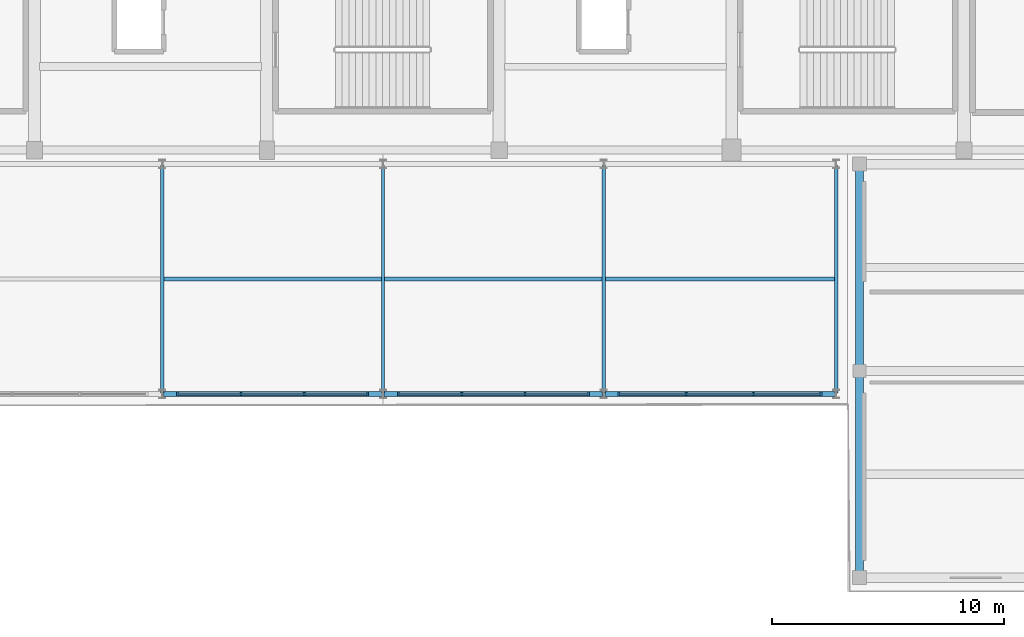
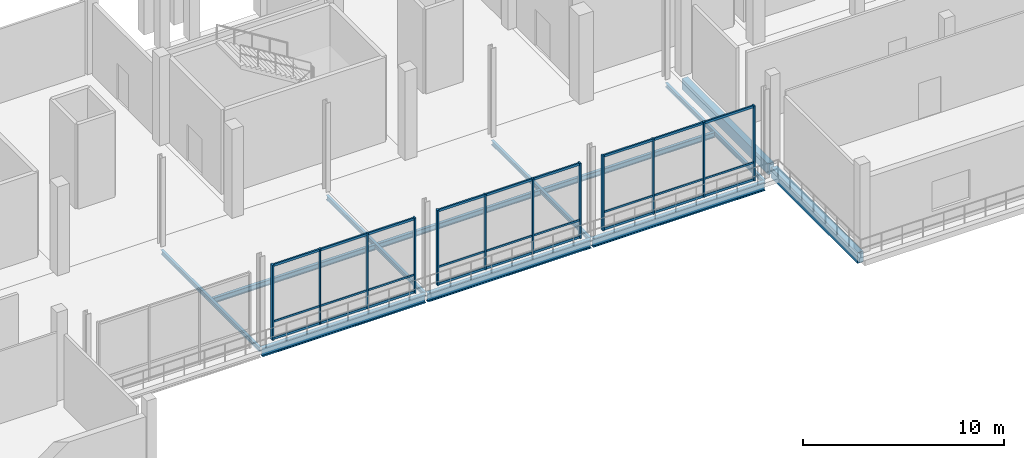
# One storey, part 20 of 111: 21 members, 12 beams, 3 elements without a shape of their own.
"""IFC4 building model written with IfcOpenShell, lengths in metres."""

from ifc_helpers import new_model, si_unit, direction, frame, origin, origin_2d, place, context, subcontext, project, spatial, rectangle, i_section, extrude, material, material_profile, profile_set, type_object, element, aggregate, save


model = new_model("IFC4")

# Units and contexts
model_context = context("Model", 3, precision=1e-05, world=origin(), true_north=direction((0.0, 1.0)))
body_context = subcontext(model_context, "Body", "Model", "MODEL_VIEW")
ifc_project = project(units=[si_unit("LENGTHUNIT", "METRE"), si_unit("AREAUNIT", "SQUARE_METRE"), si_unit("VOLUMEUNIT", "CUBIC_METRE"), si_unit("PLANEANGLEUNIT", "RADIAN"), si_unit("MASSUNIT", "GRAM", prefix="KILO")], contexts=[model_context])

# Site, building, storey
site_placement = place(None, origin())
site = spatial("IfcSite", under=ifc_project, at=site_placement, CompositionType="ELEMENT")
building_placement = place(site_placement, origin())
building = spatial("IfcBuilding", under=site, at=building_placement, Name="Candeia Ridge Stadium", CompositionType="ELEMENT")
storey_placement = place(building_placement, frame((0.0, 0.0, 16.199951171875)))
storey = spatial("IfcBuildingStorey", under=building, at=storey_placement, Name="L03", CompositionType="ELEMENT", Elevation=16.199951171875)

# Beams
ifc_material_1 = material(Name="Steel ASTM A572 Grade 50", Category="steel")
ifc_material_profile_1 = material_profile(ifc_material_1, i_section(OverallWidth=0.14794921875, OverallDepth=0.26611328125, WebThickness=0.007568359375, FlangeThickness=0.012939453125, FilletRadius=0.010986328125, at=origin_2d()), Name="W250x44.8", Category="steel")
ifc_profile_set_1 = profile_set([ifc_material_profile_1], Name="Steel ASTM A572 Grade 50")
beam_type_1 = type_object("IfcBeamType", Name="Canopy Edge Spandrel W250x44.8", PredefinedType="SPANDREL", material=ifc_profile_set_1)
for number, where, z_axis, x_axis, name in (
    (1, (96.5, 8.550048828125, -0.383056640625), (0.0, 1.0, 0.0), (-1.0, 0.0, 0.0), "Structural girder BM-L03-2359"),
    (2, (106.0, 8.550048828125, -0.383056640625), (0.0, 1.0, 0.0), (-1.0, 0.0, 0.0), "Structural girder BM-L03-2360"),
    (3, (115.5, 8.550048828125, -0.383056640625), (0.0, 1.0, 0.0), (-1.0, 0.0, 0.0), "Structural girder BM-L03-2361"),
    (4, (125.5, 8.550048828125, -0.383056640625), (0.0, 1.0, 0.0), (-1.0, 0.0, 0.0), "Structural girder BM-L03-2362"),
):
    element("IfcBeam", number, at=place(storey_placement, frame(where, z_axis=z_axis, x_axis=x_axis)), inside=storey, type_object=beam_type_1, Name=name, PredefinedType="SPANDREL", context=body_context, shape_type="SweptSolid", body=[
        extrude(i_section(OverallWidth=0.14794921875, OverallDepth=0.26611328125, WebThickness=0.007568359375, FlangeThickness=0.012939453125, FilletRadius=0.010986328125, at=origin_2d()), origin(), (0.0, 0.0, 1.0), 9.800048828125),
    ])

# Curtain wall, members
ifc_material_2 = material(Name="Aluminium Anodized Warm Bronze", Category="aluminium")
curtain_wall_type = type_object("IfcCurtainWallType", Name="Cardinal Entrance Gate Tall Glazed Curtain Wall", PredefinedType="NOTDEFINED", material=ifc_material_2)
curtain_wall_1_placement = place(storey_placement, origin())
curtain_wall_1 = element("IfcCurtainWall", 5, at=curtain_wall_1_placement, inside=storey, type_object=curtain_wall_type, Name="Unitised curtain wall CW-WNG-L03-138", PredefinedType="NOTDEFINED")
ifc_material_profile_2 = material_profile(ifc_material_2, rectangle(XDim=0.090087890625, YDim=0.179931640625, at=origin_2d()), Name="CWM-90x180", Category="aluminium")
ifc_profile_set_2 = profile_set([ifc_material_profile_2], Name="Aluminium Anodized Warm Bronze")
member_type_1 = type_object("IfcMemberType", Name="Curtain Wall Primary Mullion 90x180", PredefinedType="MULLION", material=ifc_profile_set_2)
member_1_placement = place(storey_placement, frame((97.159912109375, 8.5, 0.0), z_axis=(0.0, 0.0, 1.0), x_axis=(1.0, 0.0, 0.0)))
member_1 = element("IfcMember", 6, at=member_1_placement, type_object=member_type_1, Name="Curtain wall mullion CW-WNG-L03-138-M0", PredefinedType="MULLION", context=body_context, shape_type="SweptSolid", body=[
    extrude(rectangle(XDim=0.090087890625, YDim=0.179931640625, at=origin_2d()), origin(), (0.0, 0.0, 1.0), 4.58203125),
])
member_2_placement = place(storey_placement, frame((105.340087890625, 8.5, 0.0), z_axis=(0.0, 0.0, 1.0), x_axis=(1.0, 0.0, 0.0)))
member_2 = element("IfcMember", 7, at=member_2_placement, type_object=member_type_1, Name="Curtain wall mullion CW-WNG-L03-138-M3", PredefinedType="MULLION", context=body_context, shape_type="SweptSolid", body=[
    extrude(rectangle(XDim=0.090087890625, YDim=0.179931640625, at=origin_2d()), origin(), (0.0, 0.0, 1.0), 4.58203125),
])

curtain_wall_2_placement = place(storey_placement, origin())
curtain_wall_2 = element("IfcCurtainWall", 8, at=curtain_wall_2_placement, inside=storey, type_object=curtain_wall_type, Name="Unitised curtain wall CW-WNG-L03-139", PredefinedType="NOTDEFINED")
member_3_placement = place(storey_placement, frame((106.659912109375, 8.5, 0.0), z_axis=(0.0, 0.0, 1.0), x_axis=(1.0, 0.0, 0.0)))
member_3 = element("IfcMember", 9, at=member_3_placement, type_object=member_type_1, Name="Curtain wall mullion CW-WNG-L03-139-M0", PredefinedType="MULLION", context=body_context, shape_type="SweptSolid", body=[
    extrude(rectangle(XDim=0.090087890625, YDim=0.179931640625, at=origin_2d()), origin(), (0.0, 0.0, 1.0), 4.58203125),
])
member_4_placement = place(storey_placement, frame((114.840087890625, 8.5, 0.0), z_axis=(0.0, 0.0, 1.0), x_axis=(1.0, 0.0, 0.0)))
member_4 = element("IfcMember", 10, at=member_4_placement, type_object=member_type_1, Name="Curtain wall mullion CW-WNG-L03-139-M3", PredefinedType="MULLION", context=body_context, shape_type="SweptSolid", body=[
    extrude(rectangle(XDim=0.090087890625, YDim=0.179931640625, at=origin_2d()), origin(), (0.0, 0.0, 1.0), 4.58203125),
])

curtain_wall_3_placement = place(storey_placement, origin())
curtain_wall_3 = element("IfcCurtainWall", 11, at=curtain_wall_3_placement, inside=storey, type_object=curtain_wall_type, Name="Unitised curtain wall CW-WNG-L03-140", PredefinedType="NOTDEFINED")
member_5_placement = place(storey_placement, frame((116.159912109375, 8.5, 0.0), z_axis=(0.0, 0.0, 1.0), x_axis=(1.0, 0.0, 0.0)))
member_5 = element("IfcMember", 12, at=member_5_placement, type_object=member_type_1, Name="Curtain wall mullion CW-WNG-L03-140-M0", PredefinedType="MULLION", context=body_context, shape_type="SweptSolid", body=[
    extrude(rectangle(XDim=0.090087890625, YDim=0.179931640625, at=origin_2d()), origin(), (0.0, 0.0, 1.0), 4.572021484375),
])
member_6_placement = place(storey_placement, frame((124.840087890625, 8.5, 0.0), z_axis=(0.0, 0.0, 1.0), x_axis=(1.0, 0.0, 0.0)))
member_6 = element("IfcMember", 13, at=member_6_placement, type_object=member_type_1, Name="Curtain wall mullion CW-WNG-L03-140-M3", PredefinedType="MULLION", context=body_context, shape_type="SweptSolid", body=[
    extrude(rectangle(XDim=0.090087890625, YDim=0.179931640625, at=origin_2d()), origin(), (0.0, 0.0, 1.0), 4.572021484375),
])

# Member
ifc_material_profile_3 = material_profile(ifc_material_2, rectangle(XDim=0.074951171875, YDim=0.14990234375, at=origin_2d()), Name="CWM-75x150", Category="aluminium")
ifc_profile_set_3 = profile_set([ifc_material_profile_3], Name="Aluminium Anodized Warm Bronze")
member_type_2 = type_object("IfcMemberType", Name="Curtain Wall Secondary Mullion 75x150", PredefinedType="MULLION", material=ifc_profile_set_3)
member_7_placement = place(storey_placement, frame((99.88671875, 8.5, 0.0), z_axis=(0.0, 0.0, 1.0), x_axis=(1.0, 0.0, 0.0)))
member_7 = element("IfcMember", 14, at=member_7_placement, type_object=member_type_2, Name="Curtain wall mullion CW-WNG-L03-138-M1", PredefinedType="MULLION", context=body_context, shape_type="SweptSolid", body=[
    extrude(rectangle(XDim=0.074951171875, YDim=0.14990234375, at=origin_2d()), origin(), (0.0, 0.0, 1.0), 4.58203125),
])

member_8_placement = place(storey_placement, frame((102.61328125, 8.5, 0.0), z_axis=(0.0, 0.0, 1.0), x_axis=(1.0, 0.0, 0.0)))
member_8 = element("IfcMember", 15, at=member_8_placement, type_object=member_type_2, Name="Curtain wall mullion CW-WNG-L03-138-M2", PredefinedType="MULLION", context=body_context, shape_type="SweptSolid", body=[
    extrude(rectangle(XDim=0.074951171875, YDim=0.14990234375, at=origin_2d()), origin(), (0.0, 0.0, 1.0), 4.58203125),
])

member_9_placement = place(storey_placement, frame((109.38671875, 8.5, 0.0), z_axis=(0.0, 0.0, 1.0), x_axis=(1.0, 0.0, 0.0)))
member_9 = element("IfcMember", 16, at=member_9_placement, type_object=member_type_2, Name="Curtain wall mullion CW-WNG-L03-139-M1", PredefinedType="MULLION", context=body_context, shape_type="SweptSolid", body=[
    extrude(rectangle(XDim=0.074951171875, YDim=0.14990234375, at=origin_2d()), origin(), (0.0, 0.0, 1.0), 4.58203125),
])

member_10_placement = place(storey_placement, frame((112.11328125, 8.5, 0.0), z_axis=(0.0, 0.0, 1.0), x_axis=(1.0, 0.0, 0.0)))
member_10 = element("IfcMember", 17, at=member_10_placement, type_object=member_type_2, Name="Curtain wall mullion CW-WNG-L03-139-M2", PredefinedType="MULLION", context=body_context, shape_type="SweptSolid", body=[
    extrude(rectangle(XDim=0.074951171875, YDim=0.14990234375, at=origin_2d()), origin(), (0.0, 0.0, 1.0), 4.58203125),
])

member_11_placement = place(storey_placement, frame((119.05322265625, 8.5, 0.0), z_axis=(0.0, 0.0, 1.0), x_axis=(1.0, 0.0, 0.0)))
member_11 = element("IfcMember", 18, at=member_11_placement, type_object=member_type_2, Name="Curtain wall mullion CW-WNG-L03-140-M1", PredefinedType="MULLION", context=body_context, shape_type="SweptSolid", body=[
    extrude(rectangle(XDim=0.074951171875, YDim=0.14990234375, at=origin_2d()), origin(), (0.0, 0.0, 1.0), 4.572021484375),
])

member_12_placement = place(storey_placement, frame((121.94677734375, 8.5, 0.0), z_axis=(0.0, 0.0, 1.0), x_axis=(1.0, 0.0, 0.0)))
member_12 = element("IfcMember", 19, at=member_12_placement, type_object=member_type_2, Name="Curtain wall mullion CW-WNG-L03-140-M2", PredefinedType="MULLION", context=body_context, shape_type="SweptSolid", body=[
    extrude(rectangle(XDim=0.074951171875, YDim=0.14990234375, at=origin_2d()), origin(), (0.0, 0.0, 1.0), 4.572021484375),
])

ifc_material_profile_4 = material_profile(ifc_material_2, rectangle(XDim=0.074951171875, YDim=0.110107421875, at=origin_2d()), Name="CWT-75x110", Category="aluminium")
ifc_profile_set_4 = profile_set([ifc_material_profile_4], Name="Aluminium Anodized Warm Bronze")
member_type_3 = type_object("IfcMemberType", Name="Curtain Wall Secondary Transom 75x110", PredefinedType="USERDEFINED", material=ifc_profile_set_4)
member_13_placement = place(storey_placement, frame((97.159912109375, 8.5, 1.10009765625), z_axis=(1.0, 0.0, 0.0), x_axis=(0.0, 1.0, 0.0)))
member_13 = element("IfcMember", 20, at=member_13_placement, type_object=member_type_3, Name="Curtain wall transom CW-WNG-L03-138-T1", ObjectType="TRANSOM", PredefinedType="USERDEFINED", context=body_context, shape_type="SweptSolid", body=[
    extrude(rectangle(XDim=0.074951171875, YDim=0.110107421875, at=origin_2d()), origin(), (0.0, 0.0, 1.0), 8.18017578125),
])

member_14_placement = place(storey_placement, frame((106.659912109375, 8.5, 1.10009765625), z_axis=(1.0, 0.0, 0.0), x_axis=(0.0, 1.0, 0.0)))
member_14 = element("IfcMember", 21, at=member_14_placement, type_object=member_type_3, Name="Curtain wall transom CW-WNG-L03-139-T1", ObjectType="TRANSOM", PredefinedType="USERDEFINED", context=body_context, shape_type="SweptSolid", body=[
    extrude(rectangle(XDim=0.074951171875, YDim=0.110107421875, at=origin_2d()), origin(), (0.0, 0.0, 1.0), 8.18017578125),
])

member_15_placement = place(storey_placement, frame((116.159912109375, 8.5, 1.10009765625), z_axis=(1.0, 0.0, 0.0), x_axis=(0.0, 1.0, 0.0)))
member_15 = element("IfcMember", 22, at=member_15_placement, type_object=member_type_3, Name="Curtain wall transom CW-WNG-L03-140-T1", ObjectType="TRANSOM", PredefinedType="USERDEFINED", context=body_context, shape_type="SweptSolid", body=[
    extrude(rectangle(XDim=0.074951171875, YDim=0.110107421875, at=origin_2d()), origin(), (0.0, 0.0, 1.0), 8.68017578125),
])

ifc_material_profile_5 = material_profile(ifc_material_2, rectangle(XDim=0.090087890625, YDim=0.139892578125, at=origin_2d()), Name="CWT-90x140", Category="aluminium")
ifc_profile_set_5 = profile_set([ifc_material_profile_5], Name="Aluminium Anodized Warm Bronze")
member_type_4 = type_object("IfcMemberType", Name="Curtain Wall Transom 90x140", PredefinedType="USERDEFINED", material=ifc_profile_set_5)
member_16_placement = place(storey_placement, frame((97.159912109375, 8.5, 0.070068359375), z_axis=(1.0, 0.0, 0.0), x_axis=(0.0, 1.0, 0.0)))
member_16 = element("IfcMember", 23, at=member_16_placement, type_object=member_type_4, Name="Curtain wall transom CW-WNG-L03-138-T0", ObjectType="TRANSOM", PredefinedType="USERDEFINED", context=body_context, shape_type="SweptSolid", body=[
    extrude(rectangle(XDim=0.090087890625, YDim=0.139892578125, at=origin_2d()), origin(), (0.0, 0.0, 1.0), 8.18017578125),
])

member_17_placement = place(storey_placement, frame((97.159912109375, 8.5, 4.511962890625), z_axis=(1.0, 0.0, 0.0), x_axis=(0.0, 1.0, 0.0)))
member_17 = element("IfcMember", 24, at=member_17_placement, type_object=member_type_4, Name="Curtain wall transom CW-WNG-L03-138-T2", ObjectType="TRANSOM", PredefinedType="USERDEFINED", context=body_context, shape_type="SweptSolid", body=[
    extrude(rectangle(XDim=0.090087890625, YDim=0.139892578125, at=origin_2d()), origin(), (0.0, 0.0, 1.0), 8.18017578125),
])

aggregate(curtain_wall_1, [member_1, member_7, member_8, member_2, member_16, member_13, member_17])

member_18_placement = place(storey_placement, frame((106.659912109375, 8.5, 0.070068359375), z_axis=(1.0, 0.0, 0.0), x_axis=(0.0, 1.0, 0.0)))
member_18 = element("IfcMember", 25, at=member_18_placement, type_object=member_type_4, Name="Curtain wall transom CW-WNG-L03-139-T0", ObjectType="TRANSOM", PredefinedType="USERDEFINED", context=body_context, shape_type="SweptSolid", body=[
    extrude(rectangle(XDim=0.090087890625, YDim=0.139892578125, at=origin_2d()), origin(), (0.0, 0.0, 1.0), 8.18017578125),
])

member_19_placement = place(storey_placement, frame((106.659912109375, 8.5, 4.511962890625), z_axis=(1.0, 0.0, 0.0), x_axis=(0.0, 1.0, 0.0)))
member_19 = element("IfcMember", 26, at=member_19_placement, type_object=member_type_4, Name="Curtain wall transom CW-WNG-L03-139-T2", ObjectType="TRANSOM", PredefinedType="USERDEFINED", context=body_context, shape_type="SweptSolid", body=[
    extrude(rectangle(XDim=0.090087890625, YDim=0.139892578125, at=origin_2d()), origin(), (0.0, 0.0, 1.0), 8.18017578125),
])

aggregate(curtain_wall_2, [member_3, member_9, member_10, member_4, member_18, member_14, member_19])

member_20_placement = place(storey_placement, frame((116.159912109375, 8.5, 0.070068359375), z_axis=(1.0, 0.0, 0.0), x_axis=(0.0, 1.0, 0.0)))
member_20 = element("IfcMember", 27, at=member_20_placement, type_object=member_type_4, Name="Curtain wall transom CW-WNG-L03-140-T0", ObjectType="TRANSOM", PredefinedType="USERDEFINED", context=body_context, shape_type="SweptSolid", body=[
    extrude(rectangle(XDim=0.090087890625, YDim=0.139892578125, at=origin_2d()), origin(), (0.0, 0.0, 1.0), 8.68017578125),
])

member_21_placement = place(storey_placement, frame((116.159912109375, 8.5, 4.501953125), z_axis=(1.0, 0.0, 0.0), x_axis=(0.0, 1.0, 0.0)))
member_21 = element("IfcMember", 28, at=member_21_placement, type_object=member_type_4, Name="Curtain wall transom CW-WNG-L03-140-T2", ObjectType="TRANSOM", PredefinedType="USERDEFINED", context=body_context, shape_type="SweptSolid", body=[
    extrude(rectangle(XDim=0.090087890625, YDim=0.139892578125, at=origin_2d()), origin(), (0.0, 0.0, 1.0), 8.68017578125),
])

aggregate(curtain_wall_3, [member_5, member_11, member_12, member_6, member_20, member_15, member_21])

# Beams
ifc_material_profile_6 = material_profile(ifc_material_1, i_section(OverallWidth=0.208984375, OverallDepth=0.532958984375, WebThickness=0.01025390625, FlangeThickness=0.015625, FilletRadius=0.013916015625, at=origin_2d()), Name="W530x92", Category="steel")
ifc_profile_set_6 = profile_set([ifc_material_profile_6], Name="Steel ASTM A572 Grade 50")
beam_type_2 = type_object("IfcBeamType", Name="Gate Portal Girder W530x92", PredefinedType="BEAM", material=ifc_profile_set_6)
for number, where, z_axis, x_axis, name in (
    (29, (96.550048828125, 8.5, -0.516357421875), (1.0, 0.0, 0.0), (0.0, 1.0, 0.0), "Structural girder BM-L03-2366"),
    (30, (106.050048828125, 8.5, -0.516357421875), (1.0, 0.0, 0.0), (0.0, 1.0, 0.0), "Structural girder BM-L03-2369"),
):
    element("IfcBeam", number, at=place(storey_placement, frame(where, z_axis=z_axis, x_axis=x_axis)), inside=storey, type_object=beam_type_2, Name=name, PredefinedType="BEAM", context=body_context, shape_type="SweptSolid", body=[
        extrude(i_section(OverallWidth=0.208984375, OverallDepth=0.532958984375, WebThickness=0.01025390625, FlangeThickness=0.015625, FilletRadius=0.013916015625, at=origin_2d()), origin(), (0.0, 0.0, 1.0), 9.39990234375),
    ])
beam_1_placement = place(storey_placement, frame((115.550048828125, 8.5, -0.516357421875), z_axis=(1.0, 0.0, 0.0), x_axis=(0.0, 1.0, 0.0)))
element("IfcBeam", 31, at=beam_1_placement, inside=storey, type_object=beam_type_2, Name="Structural girder BM-L03-2372", PredefinedType="BEAM", context=body_context, shape_type="SweptSolid", body=[
    extrude(i_section(OverallWidth=0.208984375, OverallDepth=0.532958984375, WebThickness=0.01025390625, FlangeThickness=0.015625, FilletRadius=0.013916015625, at=origin_2d()), origin(), (0.0, 0.0, 1.0), 9.89990234375),
])
ifc_material_profile_7 = material_profile(ifc_material_1, i_section(OverallWidth=0.1669921875, OverallDepth=0.31689453125, WebThickness=0.007568359375, FlangeThickness=0.01318359375, FilletRadius=0.011962890625, at=origin_2d()), Name="W310x52", Category="steel")
ifc_profile_set_7 = profile_set([ifc_material_profile_7], Name="Steel ASTM A572 Grade 50")
beam_type_3 = type_object("IfcBeamType", Name="Pavilion Secondary Joist W310x52", PredefinedType="JOIST", material=ifc_profile_set_7)
for number, where, z_axis, x_axis, name in (
    (32, (96.573486328125, 13.449951171875, -0.408447265625), (1.0, 0.0, 0.0), (0.0, 1.0, 0.0), "Wing secondary joist BM-L03-2367"),
    (33, (106.073486328125, 13.449951171875, -0.408447265625), (1.0, 0.0, 0.0), (0.0, 1.0, 0.0), "Wing secondary joist BM-L03-2370"),
):
    element("IfcBeam", number, at=place(storey_placement, frame(where, z_axis=z_axis, x_axis=x_axis)), inside=storey, type_object=beam_type_3, Name=name, PredefinedType="JOIST", context=body_context, shape_type="SweptSolid", body=[
        extrude(i_section(OverallWidth=0.1669921875, OverallDepth=0.31689453125, WebThickness=0.007568359375, FlangeThickness=0.01318359375, FilletRadius=0.011962890625, at=origin_2d()), origin(), (0.0, 0.0, 1.0), 9.35302734375),
    ])
beam_2_placement = place(storey_placement, frame((115.573486328125, 13.449951171875, -0.408447265625), z_axis=(1.0, 0.0, 0.0), x_axis=(0.0, 1.0, 0.0)))
element("IfcBeam", 34, at=beam_2_placement, inside=storey, type_object=beam_type_3, Name="Wing secondary joist BM-L03-2373", PredefinedType="JOIST", context=body_context, shape_type="SweptSolid", body=[
    extrude(i_section(OverallWidth=0.1669921875, OverallDepth=0.31689453125, WebThickness=0.007568359375, FlangeThickness=0.01318359375, FilletRadius=0.011962890625, at=origin_2d()), origin(), (0.0, 0.0, 1.0), 9.85302734375),
])
ifc_material_3 = material(Name="Concrete C40/50", Category="concrete")
ifc_material_profile_8 = material_profile(ifc_material_3, rectangle(XDim=0.35009765625, YDim=0.64990234375, at=origin_2d()), Name="RC350x650", Category="concrete")
ifc_profile_set_8 = profile_set([ifc_material_profile_8], Name="Concrete C40/50")
beam_type_4 = type_object("IfcBeamType", Name="Spandrel Beam RC350x650", PredefinedType="SPANDREL", material=ifc_profile_set_8)
for number, where, z_axis, x_axis, name in (
    (35, (126.5, 0.760009765625, -0.574951171875), (0.0, 1.0, 0.0), (-1.0, 0.0, 0.0), "Structural girder BM-L03-2318"),
    (36, (126.5, 9.659912109375, -0.574951171875), (0.0, 1.0, 0.0), (-1.0, 0.0, 0.0), "Structural girder BM-L03-2319"),
):
    element("IfcBeam", number, at=place(storey_placement, frame(where, z_axis=z_axis, x_axis=x_axis)), inside=storey, type_object=beam_type_4, Name=name, PredefinedType="SPANDREL", context=body_context, shape_type="SweptSolid", body=[
        extrude(rectangle(XDim=0.35009765625, YDim=0.64990234375, at=origin_2d()), origin(), (0.0, 0.0, 1.0), 8.580078125),
    ])

save(model, "model.ifc")
